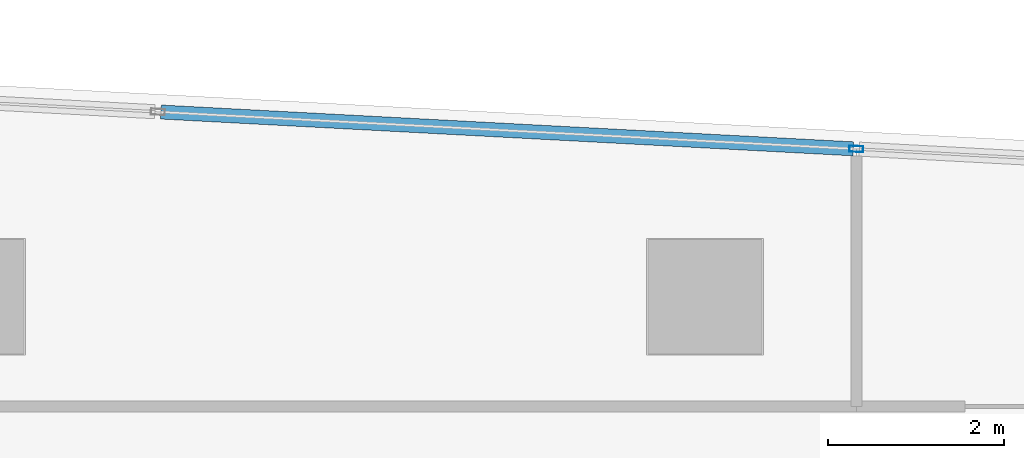
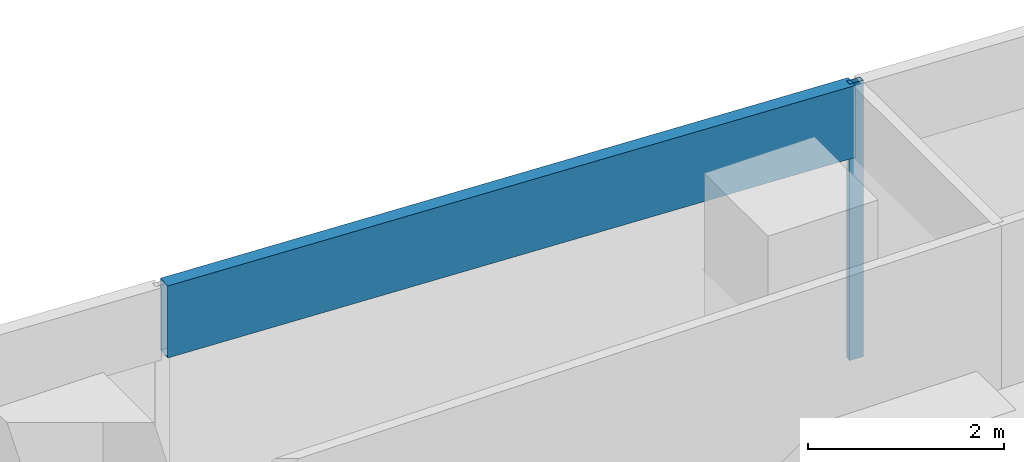
# One storey, part 19 of 30: 2 members, 1 element without a shape of its own.
"""IFC4 building model written with IfcOpenShell, lengths in metres."""

from ifc_helpers import new_model, si_unit, direction, frame, origin, origin_2d, place, context, subcontext, project, spatial, hollow_rectangle, extrude, material, material_profile, profile_set, type_object, element, aggregate, save


model = new_model("IFC4")

# Units and contexts
model_context = context("Model", 3, precision=1e-05, world=origin(), true_north=direction((0.0, 1.0)))
body_context = subcontext(model_context, "Body", "Model", "MODEL_VIEW")
ifc_project = project(units=[si_unit("LENGTHUNIT", "METRE"), si_unit("AREAUNIT", "SQUARE_METRE"), si_unit("VOLUMEUNIT", "CUBIC_METRE"), si_unit("PLANEANGLEUNIT", "RADIAN"), si_unit("MASSUNIT", "GRAM", prefix="KILO")], contexts=[model_context])

# Site, building, storey
site_placement = place(None, origin())
site = spatial("IfcSite", under=ifc_project, at=site_placement, CompositionType="ELEMENT")
building_placement = place(site_placement, origin())
building = spatial("IfcBuilding", under=site, at=building_placement, Name="Rekha Terrace Tower", CompositionType="ELEMENT")
storey_placement = place(building_placement, frame((0.0, 0.0, 287.60009765625)))
storey = spatial("IfcBuildingStorey", under=building, at=storey_placement, Name="L73", CompositionType="ELEMENT", Elevation=287.60009765625)

# Curtain wall, members
ifc_material_1 = material(Name="Aluminium framing", Category="aluminium")
curtain_wall_type = type_object("IfcCurtainWallType", Name="CW3 north unitised glazing", PredefinedType="USERDEFINED", material=ifc_material_1)
curtain_wall_placement = place(storey_placement, origin())
curtain_wall = element("IfcCurtainWall", 1, at=curtain_wall_placement, inside=storey, type_object=curtain_wall_type, Name="CW3 unitised curtain wall", ObjectType="UNITISED CURTAIN WALL", PredefinedType="USERDEFINED")
ifc_material_2 = material(Name="Aluminium mullion section", Category="aluminium")
ifc_material_profile_1 = material_profile(ifc_material_2, hollow_rectangle(XDim=0.070068359375, YDim=0.159912109375, WallThickness=0.00390625, at=origin_2d()), Name="AL RHS 70x160")
ifc_profile_set_1 = profile_set([ifc_material_profile_1], Name="Aluminium mullion section")
member_type_1 = type_object("IfcMemberType", Name="CW3 mullion RHS 70 x 160", PredefinedType="MULLION", material=ifc_profile_set_1)
member_1_placement = place(storey_placement, frame((52.122802734375, 52.081787109375, 0.0), z_axis=(0.0, 0.0, 1.0), x_axis=(-0.053083275524, -0.998590089005, 0.0)))
member_1 = element("IfcMember", 2, at=member_1_placement, type_object=member_type_1, Name="CW3 mullion 2", PredefinedType="MULLION", context=body_context, shape_type="SweptSolid", body=[
    extrude(hollow_rectangle(XDim=0.070068359375, YDim=0.159912109375, WallThickness=0.00390625, at=origin_2d()), origin(), (0.0, 0.0, 1.0), 3.449951171875),
])
ifc_material_3 = material(Name="Insulated aluminium spandrel box", Category="aluminium")
ifc_material_profile_2 = material_profile(ifc_material_3, hollow_rectangle(XDim=0.159912109375, YDim=0.89990234375, WallThickness=0.0029296875, at=origin_2d()), Name="AL SPANDREL BOX 160x900")
ifc_profile_set_2 = profile_set([ifc_material_profile_2], Name="Insulated aluminium spandrel box")
member_type_2 = type_object("IfcMemberType", Name="CW3 spandrel transom 160 x 900", PredefinedType="USERDEFINED", material=ifc_profile_set_2)
member_2_placement = place(storey_placement, frame((52.087890625, 52.08349609375, 3.0), z_axis=(-0.998589741295, 0.053089816156, 0.0), x_axis=(-0.053089816156, -0.998589741295, 0.0)))
member_2 = element("IfcMember", 3, at=member_2_placement, type_object=member_type_2, Name="CW3 spandrel transom 2", ObjectType="TRANSOM", PredefinedType="USERDEFINED", context=body_context, shape_type="SweptSolid", body=[
    extrude(hollow_rectangle(XDim=0.159912109375, YDim=0.89990234375, WallThickness=0.0029296875, at=origin_2d()), origin(), (0.0, 0.0, 1.0), 7.891357421875),
])
aggregate(curtain_wall, [member_1, member_2])

save(model, "model.ifc")
